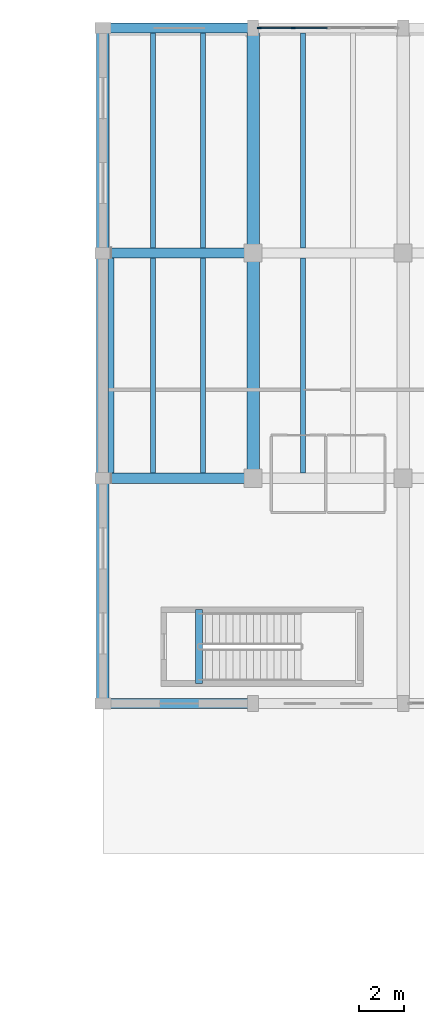
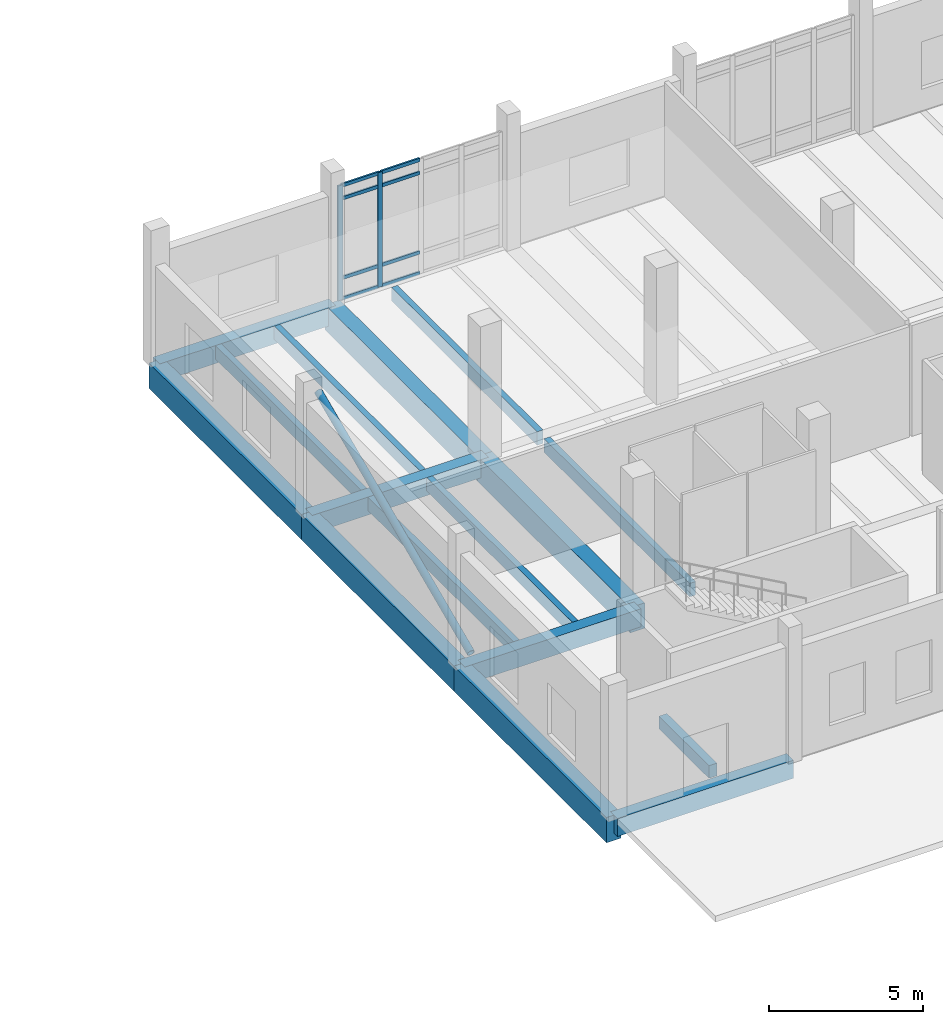
# One storey, part 21 of 72: 16 beams, 11 members, 1 element without a shape of its own.
"""IFC4 building model written with IfcOpenShell, lengths in metres."""

import ifcopenshell
import ifcopenshell.guid

model = None  # the IFC model being written
_history = None  # IfcOwnerHistory: only IFC2X3 demands one
_inside = {}  # id of a spatial element -> (the spatial element, [elements in it])
_under = {}  # id of a project, library or spatial element -> (it, [spatial elements below it])
_declared = {}  # id of a project -> (the project, [libraries it declares])
_typed = {}  # id of a type object -> (the type object, [elements of that type])
_made_of = {}  # id of a material, layer set ... -> (it, [elements and type objects made of it])


def new_model(schema):
    """Start an empty IFC model of exactly this schema.

    Asked for "IFC4X3", IfcOpenShell would pick the latest addendum, in which some entities
    have other attributes; the version numbers below select the first issue.
    IFC2X3 requires an IfcOwnerHistory on every rooted entity: one is made here for all.
    """
    global model, _history
    if schema == "IFC4X3":
        model = ifcopenshell.file(schema_version=(4, 3, 0, 0))
    else:
        model = ifcopenshell.file(schema=schema)
    _inside.clear()
    _under.clear()
    _declared.clear()
    _typed.clear()
    _made_of.clear()
    _history = None
    if model.schema == "IFC2X3":
        org = make("IfcOrganization", Name="unknown")
        user = make(
            "IfcPersonAndOrganization",
            ThePerson=make("IfcPerson", FamilyName="unknown"),
            TheOrganization=org,
        )
        app = make(
            "IfcApplication",
            ApplicationDeveloper=org,
            Version="unknown",
            ApplicationFullName="unknown",
            ApplicationIdentifier="unknown",
        )
        _history = make(
            "IfcOwnerHistory",
            OwningUser=user,
            OwningApplication=app,
            ChangeAction="ADDED",
            CreationDate=0,
        )
    return model


def make(cls, **values):
    """One entity of the class cls with the attributes given. An attribute that is None is left unset."""
    return model.create_entity(
        cls, **{name: value for name, value in values.items() if value is not None}
    )


def rooted(cls, **values):
    """An entity with a GlobalId (a new one), such as an element, a storey or a relation."""
    return make(cls, GlobalId=ifcopenshell.guid.new(), OwnerHistory=_history, **values)


def si_unit(unit_type, name, prefix=None):
    """IfcSIUnit, for example si_unit("LENGTHUNIT", "METRE", prefix="MILLI")."""
    return make("IfcSIUnit", UnitType=unit_type, Prefix=prefix, Name=name)


def assignment(units):
    """IfcUnitAssignment: the units of a project."""
    return None if units is None else make("IfcUnitAssignment", Units=units)


def point(xyz):
    """IfcCartesianPoint."""
    return None if xyz is None else make("IfcCartesianPoint", Coordinates=xyz)


def direction(xyz):
    """IfcDirection."""
    return None if xyz is None else make("IfcDirection", DirectionRatios=xyz)


def frame(location, z_axis=None, x_axis=None):
    """IfcAxis2Placement3D, a coordinate frame: its origin and axes. An axis left out is left unset."""
    return make(
        "IfcAxis2Placement3D",
        Location=point(location),
        Axis=direction(z_axis),
        RefDirection=direction(x_axis),
    )


def frame_2d(location, x_axis=None):
    """IfcAxis2Placement2D, a coordinate frame in the plane: its origin and x axis."""
    return make(
        "IfcAxis2Placement2D", Location=point(location), RefDirection=direction(x_axis)
    )


def origin():
    """The frame at (0, 0, 0) with its axes left unset."""
    return frame((0.0, 0.0, 0.0))


def origin_2d():
    """The frame at (0, 0) in the plane with its x axis left unset."""
    return frame_2d((0.0, 0.0))


def place(relative_to, where):
    """IfcLocalPlacement: puts the frame where relative to a parent placement (None: the world)."""
    return make(
        "IfcLocalPlacement", PlacementRelTo=relative_to, RelativePlacement=where
    )


def context(
    kind, dimensions, precision=None, world=None, true_north=None, identifier=None
):
    """IfcGeometricRepresentationContext, for example the 3D "Model" context."""
    return make(
        "IfcGeometricRepresentationContext",
        ContextIdentifier=identifier,
        ContextType=kind,
        CoordinateSpaceDimension=dimensions,
        Precision=precision,
        WorldCoordinateSystem=world,
        TrueNorth=true_north,
    )


def subcontext(parent, identifier, kind, view, scale=None):
    """IfcGeometricRepresentationSubContext, for example "Body" below "Model"."""
    return make(
        "IfcGeometricRepresentationSubContext",
        ContextIdentifier=identifier,
        ContextType=kind,
        ParentContext=parent,
        TargetScale=scale,
        TargetView=view,
    )


def project(units=None, contexts=None):
    """IfcProject with its units and contexts."""
    return rooted(
        "IfcProject",
        Name="project",
        RepresentationContexts=contexts,
        UnitsInContext=assignment(units),
    )


def spatial(cls, under=None, at=None, **own):
    """A site, building, storey or space (cls), placed at a placement, below another one or the project."""
    s = rooted(cls, ObjectPlacement=at, **own)
    if under is not None:
        _under.setdefault(under.id(), (under, []))[1].append(s)
    return s


def profile(cls, at=None, kind="AREA", **sizes):
    """A parametric profile (cls). Its sizes go by their IFC names, for example OverallWidth=200.0."""
    return make(cls, ProfileType=kind, Position=at, **sizes)


def rectangle(**sizes):
    """IfcRectangleProfileDef."""
    return profile("IfcRectangleProfileDef", **sizes)


def hollow_circle(**sizes):
    """IfcCircleHollowProfileDef."""
    return profile("IfcCircleHollowProfileDef", **sizes)


def extrude(swept, where, along, depth):
    """IfcExtrudedAreaSolid: the profile swept, set in the frame where, extruded along a direction by depth."""
    return make(
        "IfcExtrudedAreaSolid",
        SweptArea=swept,
        Position=where,
        ExtrudedDirection=direction(along),
        Depth=depth,
    )


def shape(context_of_items, identifier, shape_type, items):
    """IfcShapeRepresentation: the items that make up one representation, for example the "Body"."""
    return make(
        "IfcShapeRepresentation",
        ContextOfItems=context_of_items,
        RepresentationIdentifier=identifier,
        RepresentationType=shape_type,
        Items=items,
    )


def material(Name=None, Category=None):
    """IfcMaterial."""
    return make("IfcMaterial", Name=Name, Category=Category)


def material_profile(
    of_material, cross_section, Name=None, Category=None, Priority=None
):
    """IfcMaterialProfile: a cross section and its material."""
    return make(
        "IfcMaterialProfile",
        Name=Name,
        Material=of_material,
        Profile=cross_section,
        Priority=Priority,
        Category=Category,
    )


def profile_set(profiles, Name=None, composite=None):
    """IfcMaterialProfileSet."""
    return make(
        "IfcMaterialProfileSet",
        Name=Name,
        MaterialProfiles=profiles,
        CompositeProfile=composite,
    )


def made_of(thing, what):
    """Note that an element or type object is made of a material, layer set ...; save() writes the relation."""
    if what is not None:
        _made_of.setdefault(what.id(), (what, []))[1].append(thing)
    return thing


def type_object(cls, material=None, **own):
    """A type object (cls), such as IfcWallType, which elements share."""
    return made_of(rooted(cls, **own), material)


def element(
    cls,
    number,
    at=None,
    inside=None,
    cuts=None,
    type_object=None,
    material=None,
    context=None,
    identifier="Body",
    shape_type=None,
    held_by="IfcProductDefinitionShape",
    body=None,
    shapes=None,
    **own,
):
    """One element of the class cls, such as IfcWall. Its Tag is "e" and its number.

    at: its placement. inside: the storey or other place that contains it. cuts: it is an
    opening in that element (IfcRelVoidsElement). A single representation is given by context,
    identifier, shape_type and body (its items); several are given by shapes. held_by: the class
    of the entity that holds the representations. save() writes the other relations.
    """
    e = rooted(cls, Tag="e%d" % number, ObjectPlacement=at, **own)
    if body is not None:
        shapes = [shape(context, identifier, shape_type, body)]
    if shapes is not None:
        e.Representation = make(held_by, Representations=shapes)
    if inside is not None:
        _inside.setdefault(inside.id(), (inside, []))[1].append(e)
    if cuts is not None:
        rooted(
            "IfcRelVoidsElement", RelatingBuildingElement=cuts, RelatedOpeningElement=e
        )
    if type_object is not None:
        _typed.setdefault(type_object.id(), (type_object, []))[1].append(e)
    return made_of(e, material)


def aggregate(whole, parts):
    """IfcRelAggregates: a whole, such as a stair, and the parts it consists of."""
    return rooted("IfcRelAggregates", RelatingObject=whole, RelatedObjects=parts)


def save(model, path):
    """Write the relations noted so far, then the file.

    IfcRelAggregates (storeys below a building ...), IfcRelContainedInSpatialStructure (elements
    in a storey), IfcRelDefinesByType, IfcRelAssociatesMaterial and IfcRelDeclares: one each for
    every whole, place, type object, material and project.
    """
    for whole, parts in _under.values():
        aggregate(whole, parts)
    for where, things in _inside.values():
        rooted(
            "IfcRelContainedInSpatialStructure",
            RelatedElements=things,
            RelatingStructure=where,
        )
    for kind, things in _typed.values():
        rooted("IfcRelDefinesByType", RelatedObjects=things, RelatingType=kind)
    for what, things in _made_of.values():
        rooted("IfcRelAssociatesMaterial", RelatedObjects=things, RelatingMaterial=what)
    for by, libraries in _declared.values():
        rooted("IfcRelDeclares", RelatingContext=by, RelatedDefinitions=libraries)
    model.write(path)


model = new_model("IFC4")

# Units and contexts
model_context = context("Model", 3, precision=1e-05, world=origin(), true_north=direction((0.0, 1.0)))
body_context = subcontext(model_context, "Body", "Model", "MODEL_VIEW")
ifc_project = project(units=[si_unit("LENGTHUNIT", "METRE"), si_unit("AREAUNIT", "SQUARE_METRE"), si_unit("VOLUMEUNIT", "CUBIC_METRE"), si_unit("PLANEANGLEUNIT", "RADIAN"), si_unit("MASSUNIT", "GRAM", prefix="KILO")], contexts=[model_context])

# Site, building, storey
site_placement = place(None, origin())
site = spatial("IfcSite", under=ifc_project, at=site_placement, CompositionType="ELEMENT")
building_placement = place(site_placement, origin())
building = spatial("IfcBuilding", under=site, at=building_placement, Name="Dornvale Research Institute", CompositionType="ELEMENT")
storey_placement = place(building_placement, origin())
storey = spatial("IfcBuildingStorey", under=building, at=storey_placement, Name="L00", CompositionType="ELEMENT", Elevation=0.0)

# Beams
ifc_material_1 = material(Name="Concrete f'c 45 MPa (C35/45)", Category="concrete")
ifc_material_profile_1 = material_profile(ifc_material_1, rectangle(XDim=0.300048828125, YDim=0.5, at=origin_2d()), Name="RC 300x500")
ifc_profile_set_1 = profile_set([ifc_material_profile_1], Name="Concrete f'c 45 MPa (C35/45)")
beam_type_1 = type_object("IfcBeamType", Name="Beam_RC300x500_Trim", PredefinedType="BEAM", material=ifc_profile_set_1)
beam_1_placement = place(storey_placement, frame((123.02001953125, 93.280029296875, -0.25), z_axis=(0.0, 1.0, 0.0), x_axis=(-1.0, 0.0, 0.0)))
element("IfcBeam", 1, at=beam_1_placement, inside=storey, type_object=beam_type_1, Name="L00 ST-3 stair landing trimmer beam #47", PredefinedType="BEAM", context=body_context, shape_type="SweptSolid", body=[
    extrude(rectangle(XDim=0.300048828125, YDim=0.5, at=origin_2d()), origin(), (0.0, 0.0, 1.0), 3.239990234375),
])
ifc_material_2 = material(Name="Concrete f'c 45 MPa (C35/45)", Category="concrete")
ifc_material_profile_2 = material_profile(ifc_material_2, rectangle(XDim=0.449951171875, YDim=0.715087890625, at=origin_2d()), Name="RC 450x715")
ifc_profile_set_2 = profile_set([ifc_material_profile_2], Name="Concrete f'c 45 MPa (C35/45)")
beam_type_2 = type_object("IfcBeamType", Name="Beam_RC450x715_Lab", PredefinedType="BEAM", material=ifc_profile_set_2)
for number, where, z_axis, x_axis, name in (
    (2, (118.800048828125, 92.39990234375, -0.357421875), (1.0, 0.0, 0.0), (0.0, 1.0, 0.0), "L00 primary girder #68"),
    (3, (118.800048828125, 102.300048828125, -0.357421875), (1.0, 0.0, 0.0), (0.0, 1.0, 0.0), "L00 primary girder #77"),
    (4, (118.800048828125, 112.199951171875, -0.357421875), (1.0, 0.0, 0.0), (0.0, 1.0, 0.0), "L00 primary girder #86"),
    (5, (118.800048828125, 122.10009765625, -0.357421875), (1.0, 0.0, 0.0), (0.0, 1.0, 0.0), "L00 primary girder #95"),
):
    element("IfcBeam", number, at=place(storey_placement, frame(where, z_axis=z_axis, x_axis=x_axis)), inside=storey, type_object=beam_type_2, Name=name, PredefinedType="BEAM", context=body_context, shape_type="SweptSolid", body=[
        extrude(rectangle(XDim=0.449951171875, YDim=0.715087890625, at=origin_2d()), origin(), (0.0, 0.0, 1.0), 6.599853515625),
    ])
ifc_material_3 = material(Name="Concrete f'c 45 MPa (C35/45)", Category="concrete")
ifc_material_profile_3 = material_profile(ifc_material_3, rectangle(XDim=0.550048828125, YDim=1.0, at=origin_2d()), Name="RC 550x1000")
ifc_profile_set_3 = profile_set([ifc_material_profile_3], Name="Concrete f'c 45 MPa (C35/45)")
beam_type_3 = type_object("IfcBeamType", Name="Beam_RC550x1000_Girder", PredefinedType="BEAM", material=ifc_profile_set_3)
beam_2_placement = place(storey_placement, frame((118.800048828125, 92.39990234375, -0.5), z_axis=(0.0, 1.0, 0.0), x_axis=(-1.0, 0.0, 0.0)))
element("IfcBeam", 6, at=beam_2_placement, inside=storey, type_object=beam_type_3, Name="L00 transverse girder #104", PredefinedType="BEAM", context=body_context, shape_type="SweptSolid", body=[
    extrude(rectangle(XDim=0.550048828125, YDim=1.0, at=origin_2d()), origin(), (0.0, 0.0, 1.0), 9.900146484375),
])
beam_3_placement = place(storey_placement, frame((118.800048828125, 102.300048828125, -0.5), z_axis=(0.0, 1.0, 0.0), x_axis=(-1.0, 0.0, 0.0)))
element("IfcBeam", 7, at=beam_3_placement, inside=storey, type_object=beam_type_3, Name="L00 transverse girder #105", PredefinedType="BEAM", context=body_context, shape_type="SweptSolid", body=[
    extrude(rectangle(XDim=0.550048828125, YDim=1.0, at=origin_2d()), origin(), (0.0, 0.0, 1.0), 9.89990234375),
])
beam_4_placement = place(storey_placement, frame((118.800048828125, 112.199951171875, -0.5), z_axis=(0.0, 1.0, 0.0), x_axis=(-1.0, 0.0, 0.0)))
element("IfcBeam", 8, at=beam_4_placement, inside=storey, type_object=beam_type_3, Name="L00 transverse girder #106", PredefinedType="BEAM", context=body_context, shape_type="SweptSolid", body=[
    extrude(rectangle(XDim=0.550048828125, YDim=1.0, at=origin_2d()), origin(), (0.0, 0.0, 1.0), 9.900146484375),
])
beam_5_placement = place(storey_placement, frame((125.39990234375, 102.300048828125, -0.5), z_axis=(0.0, 1.0, 0.0), x_axis=(-1.0, 0.0, 0.0)))
element("IfcBeam", 9, at=beam_5_placement, inside=storey, type_object=beam_type_3, Name="L00 transverse girder #107", PredefinedType="BEAM", context=body_context, shape_type="SweptSolid", body=[
    extrude(rectangle(XDim=0.550048828125, YDim=1.0, at=origin_2d()), origin(), (0.0, 0.0, 1.0), 9.89990234375),
])
beam_6_placement = place(storey_placement, frame((125.39990234375, 112.199951171875, -0.5), z_axis=(0.0, 1.0, 0.0), x_axis=(-1.0, 0.0, 0.0)))
element("IfcBeam", 10, at=beam_6_placement, inside=storey, type_object=beam_type_3, Name="L00 transverse girder #108", PredefinedType="BEAM", context=body_context, shape_type="SweptSolid", body=[
    extrude(rectangle(XDim=0.550048828125, YDim=1.0, at=origin_2d()), origin(), (0.0, 0.0, 1.0), 9.900146484375),
])

# Member
ifc_material_4 = material(Name="Steel ASTM A500 Grade C", Category="steel")
ifc_material_profile_4 = material_profile(ifc_material_4, hollow_circle(Radius=0.136474609375, WallThickness=0.01171875, at=origin_2d()), Name="HSS273X12.7")
ifc_profile_set_4 = profile_set([ifc_material_profile_4], Name="Steel ASTM A500 Grade C")
member_type_1 = type_object("IfcMemberType", Name="Brace_HSS273_Round", PredefinedType="BRACE", material=ifc_profile_set_4)
member_1_placement = place(storey_placement, frame((119.159912109375, 102.300048828125, 0.300048828125), z_axis=(0.0, 0.915522981607, 0.402265671105), x_axis=(-1.0, 0.0, 0.0)))
element("IfcMember", 11, at=member_1_placement, inside=storey, type_object=member_type_1, Name="L00 seismic diagonal brace #44", PredefinedType="BRACE", context=body_context, shape_type="SweptSolid", body=[
    extrude(hollow_circle(Radius=0.136474609375, WallThickness=0.01171875, at=origin_2d()), origin(), (0.0, 0.0, 1.0), 10.8134765625),
])

# Beams
ifc_material_5 = material(Name="Concrete f'c 45 MPa (C35/45)", Category="concrete")
ifc_material_profile_5 = material_profile(ifc_material_5, rectangle(XDim=0.219970703125, YDim=0.534912109375, at=origin_2d()), Name="RC 220x535")
ifc_profile_set_5 = profile_set([ifc_material_profile_5], Name="Concrete f'c 45 MPa (C35/45)")
beam_type_4 = type_object("IfcBeamType", Name="Joist_RC220x535_Waffle", PredefinedType="JOIST", material=ifc_profile_set_5)
for number, where, z_axis, x_axis, name in (
    (12, (121.0, 102.52490234375, -0.267578125), (0.0, 1.0, 0.0), (-1.0, 0.0, 0.0), "L00 laboratory waffle joist #38"),
    (13, (123.199951171875, 102.52490234375, -0.267578125), (0.0, 1.0, 0.0), (-1.0, 0.0, 0.0), "L00 laboratory waffle joist #39"),
):
    element("IfcBeam", number, at=place(storey_placement, frame(where, z_axis=z_axis, x_axis=x_axis)), inside=storey, type_object=beam_type_4, Name=name, PredefinedType="JOIST", context=body_context, shape_type="SweptSolid", body=[
        extrude(rectangle(XDim=0.219970703125, YDim=0.534912109375, at=origin_2d()), origin(), (0.0, 0.0, 1.0), 9.4501953125),
    ])
for number, where, z_axis, x_axis, name in (
    (14, (121.0, 112.425048828125, -0.267578125), (0.0, 1.0, 0.0), (-1.0, 0.0, 0.0), "L00 laboratory waffle joist #40"),
    (15, (123.199951171875, 112.425048828125, -0.267578125), (0.0, 1.0, 0.0), (-1.0, 0.0, 0.0), "L00 laboratory waffle joist #41"),
):
    element("IfcBeam", number, at=place(storey_placement, frame(where, z_axis=z_axis, x_axis=x_axis)), inside=storey, type_object=beam_type_4, Name=name, PredefinedType="JOIST", context=body_context, shape_type="SweptSolid", body=[
        extrude(rectangle(XDim=0.219970703125, YDim=0.534912109375, at=origin_2d()), origin(), (0.0, 0.0, 1.0), 9.449951171875),
    ])
beam_7_placement = place(storey_placement, frame((127.60009765625, 102.52490234375, -0.267578125), z_axis=(0.0, 1.0, 0.0), x_axis=(-1.0, 0.0, 0.0)))
element("IfcBeam", 16, at=beam_7_placement, inside=storey, type_object=beam_type_4, Name="L00 laboratory waffle joist #42", PredefinedType="JOIST", context=body_context, shape_type="SweptSolid", body=[
    extrude(rectangle(XDim=0.219970703125, YDim=0.534912109375, at=origin_2d()), origin(), (0.0, 0.0, 1.0), 9.4501953125),
])
beam_8_placement = place(storey_placement, frame((127.60009765625, 112.425048828125, -0.267578125), z_axis=(0.0, 1.0, 0.0), x_axis=(-1.0, 0.0, 0.0)))
element("IfcBeam", 17, at=beam_8_placement, inside=storey, type_object=beam_type_4, Name="L00 laboratory waffle joist #44", PredefinedType="JOIST", context=body_context, shape_type="SweptSolid", body=[
    extrude(rectangle(XDim=0.219970703125, YDim=0.534912109375, at=origin_2d()), origin(), (0.0, 0.0, 1.0), 9.449951171875),
])

# Curtain wall, members
ifc_material_6 = material(Name="Low-E Argon Double Insulating Glazing Unit", Category="glass")
curtain_wall_type = type_object("IfcCurtainWallType", Name="UnitisedCurtainWall_V4_6100x4550", PredefinedType="USERDEFINED", material=ifc_material_6)
curtain_wall_placement = place(storey_placement, origin())
curtain_wall = element("IfcCurtainWall", 18, at=curtain_wall_placement, inside=storey, type_object=curtain_wall_type, Name="L00 V4 unitised curtain wall CW-08 #66", ObjectType="UNITISED CURTAIN WALL", PredefinedType="USERDEFINED")
ifc_material_7 = material(Name="Anodized Aluminum AA 6063-T6 Thermally Broken Frame", Category="aluminium")
ifc_material_profile_6 = material_profile(ifc_material_7, rectangle(XDim=0.06494140625, YDim=0.179931640625, at=origin_2d()), Name="ALU MULLION 65x180")
ifc_profile_set_6 = profile_set([ifc_material_profile_6], Name="Anodized Aluminum AA 6063-T6 Thermally Broken Frame")
member_type_2 = type_object("IfcMemberType", Name="Mullion_CW_65x180", PredefinedType="MULLION", material=ifc_profile_set_6)
member_2_placement = place(storey_placement, frame((125.6826171875, 122.10009765625, 0.0), z_axis=(0.0, 0.0, 1.0), x_axis=(0.0, 1.0, 0.0)))
member_2 = element("IfcMember", 19, at=member_2_placement, type_object=member_type_2, Name="CW-08 mullion 1", PredefinedType="MULLION", context=body_context, shape_type="SweptSolid", body=[
    extrude(rectangle(XDim=0.06494140625, YDim=0.179931640625, at=origin_2d()), origin(), (0.0, 0.0, 1.0), 4.550048828125),
])
member_3_placement = place(storey_placement, frame((127.175048828125, 122.10009765625, 0.0), z_axis=(0.0, 0.0, 1.0), x_axis=(0.0, 1.0, 0.0)))
member_3 = element("IfcMember", 20, at=member_3_placement, type_object=member_type_2, Name="CW-08 mullion 2", PredefinedType="MULLION", context=body_context, shape_type="SweptSolid", body=[
    extrude(rectangle(XDim=0.06494140625, YDim=0.179931640625, at=origin_2d()), origin(), (0.0, 0.0, 1.0), 4.550048828125),
])
ifc_material_8 = material(Name="Anodized Aluminum AA 6063-T6 Thermally Broken Frame", Category="aluminium")
ifc_material_profile_7 = material_profile(ifc_material_8, rectangle(XDim=0.06494140625, YDim=0.135009765625, at=origin_2d()), Name="ALU TRANSOM 65x135")
ifc_profile_set_7 = profile_set([ifc_material_profile_7], Name="Anodized Aluminum AA 6063-T6 Thermally Broken Frame")
member_type_3 = type_object("IfcMemberType", Name="Transom_CW_65x135", PredefinedType="USERDEFINED", material=ifc_profile_set_7)
member_4_placement = place(storey_placement, frame((125.715087890625, 122.10009765625, 0.032470703125), z_axis=(1.0, 0.0, 0.0), x_axis=(0.0, 1.0, 0.0)))
member_4 = element("IfcMember", 21, at=member_4_placement, type_object=member_type_3, Name="CW-08 transom 1.1", ObjectType="TRANSOM", PredefinedType="USERDEFINED", context=body_context, shape_type="SweptSolid", body=[
    extrude(rectangle(XDim=0.06494140625, YDim=0.135009765625, at=origin_2d()), origin(), (0.0, 0.0, 1.0), 1.427490234375),
])
member_5_placement = place(storey_placement, frame((125.715087890625, 122.10009765625, 0.85009765625), z_axis=(1.0, 0.0, 0.0), x_axis=(0.0, 1.0, 0.0)))
member_5 = element("IfcMember", 22, at=member_5_placement, type_object=member_type_3, Name="CW-08 transom 1.2", ObjectType="TRANSOM", PredefinedType="USERDEFINED", context=body_context, shape_type="SweptSolid", body=[
    extrude(rectangle(XDim=0.06494140625, YDim=0.135009765625, at=origin_2d()), origin(), (0.0, 0.0, 1.0), 1.427490234375),
])
member_6_placement = place(storey_placement, frame((125.715087890625, 122.10009765625, 4.0), z_axis=(1.0, 0.0, 0.0), x_axis=(0.0, 1.0, 0.0)))
member_6 = element("IfcMember", 23, at=member_6_placement, type_object=member_type_3, Name="CW-08 transom 1.3", ObjectType="TRANSOM", PredefinedType="USERDEFINED", context=body_context, shape_type="SweptSolid", body=[
    extrude(rectangle(XDim=0.06494140625, YDim=0.135009765625, at=origin_2d()), origin(), (0.0, 0.0, 1.0), 1.427490234375),
])
member_7_placement = place(storey_placement, frame((125.715087890625, 122.10009765625, 4.517578125), z_axis=(1.0, 0.0, 0.0), x_axis=(0.0, 1.0, 0.0)))
member_7 = element("IfcMember", 24, at=member_7_placement, type_object=member_type_3, Name="CW-08 transom 1.4", ObjectType="TRANSOM", PredefinedType="USERDEFINED", context=body_context, shape_type="SweptSolid", body=[
    extrude(rectangle(XDim=0.06494140625, YDim=0.135009765625, at=origin_2d()), origin(), (0.0, 0.0, 1.0), 1.427490234375),
])
member_8_placement = place(storey_placement, frame((127.20751953125, 122.10009765625, 0.032470703125), z_axis=(1.0, 0.0, 0.0), x_axis=(0.0, 1.0, 0.0)))
member_8 = element("IfcMember", 25, at=member_8_placement, type_object=member_type_3, Name="CW-08 transom 2.1", ObjectType="TRANSOM", PredefinedType="USERDEFINED", context=body_context, shape_type="SweptSolid", body=[
    extrude(rectangle(XDim=0.06494140625, YDim=0.135009765625, at=origin_2d()), origin(), (0.0, 0.0, 1.0), 1.4599609375),
])
member_9_placement = place(storey_placement, frame((127.20751953125, 122.10009765625, 0.85009765625), z_axis=(1.0, 0.0, 0.0), x_axis=(0.0, 1.0, 0.0)))
member_9 = element("IfcMember", 26, at=member_9_placement, type_object=member_type_3, Name="CW-08 transom 2.2", ObjectType="TRANSOM", PredefinedType="USERDEFINED", context=body_context, shape_type="SweptSolid", body=[
    extrude(rectangle(XDim=0.06494140625, YDim=0.135009765625, at=origin_2d()), origin(), (0.0, 0.0, 1.0), 1.4599609375),
])
member_10_placement = place(storey_placement, frame((127.20751953125, 122.10009765625, 4.0), z_axis=(1.0, 0.0, 0.0), x_axis=(0.0, 1.0, 0.0)))
member_10 = element("IfcMember", 27, at=member_10_placement, type_object=member_type_3, Name="CW-08 transom 2.3", ObjectType="TRANSOM", PredefinedType="USERDEFINED", context=body_context, shape_type="SweptSolid", body=[
    extrude(rectangle(XDim=0.06494140625, YDim=0.135009765625, at=origin_2d()), origin(), (0.0, 0.0, 1.0), 1.4599609375),
])
member_11_placement = place(storey_placement, frame((127.20751953125, 122.10009765625, 4.517578125), z_axis=(1.0, 0.0, 0.0), x_axis=(0.0, 1.0, 0.0)))
member_11 = element("IfcMember", 28, at=member_11_placement, type_object=member_type_3, Name="CW-08 transom 2.4", ObjectType="TRANSOM", PredefinedType="USERDEFINED", context=body_context, shape_type="SweptSolid", body=[
    extrude(rectangle(XDim=0.06494140625, YDim=0.135009765625, at=origin_2d()), origin(), (0.0, 0.0, 1.0), 1.4599609375),
])
aggregate(curtain_wall, [member_2, member_3, member_4, member_5, member_6, member_7, member_8, member_9, member_10, member_11])

save(model, "model.ifc")
